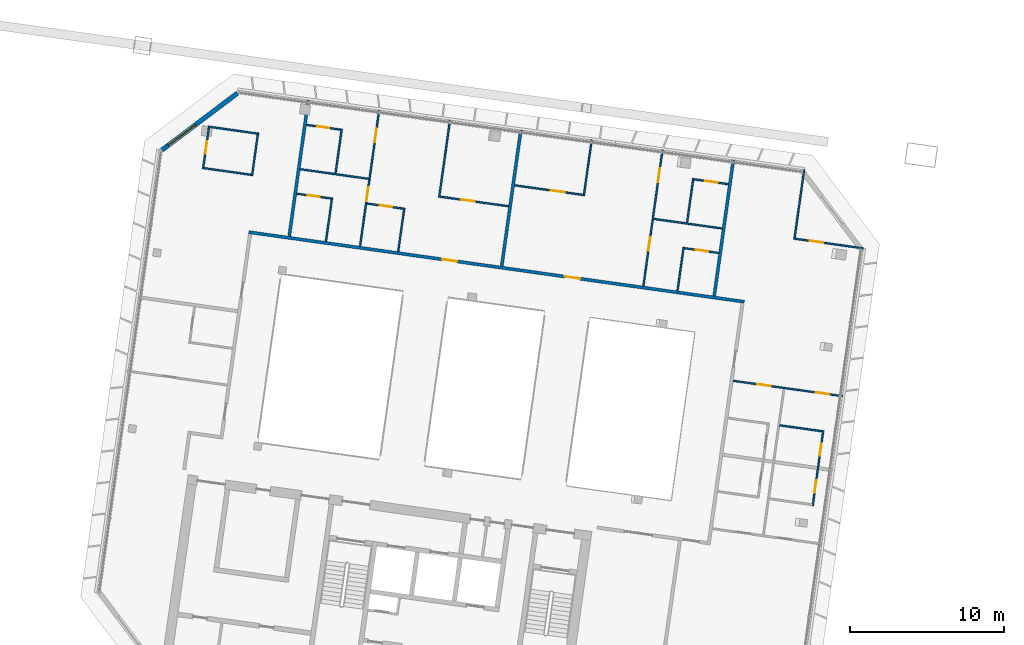
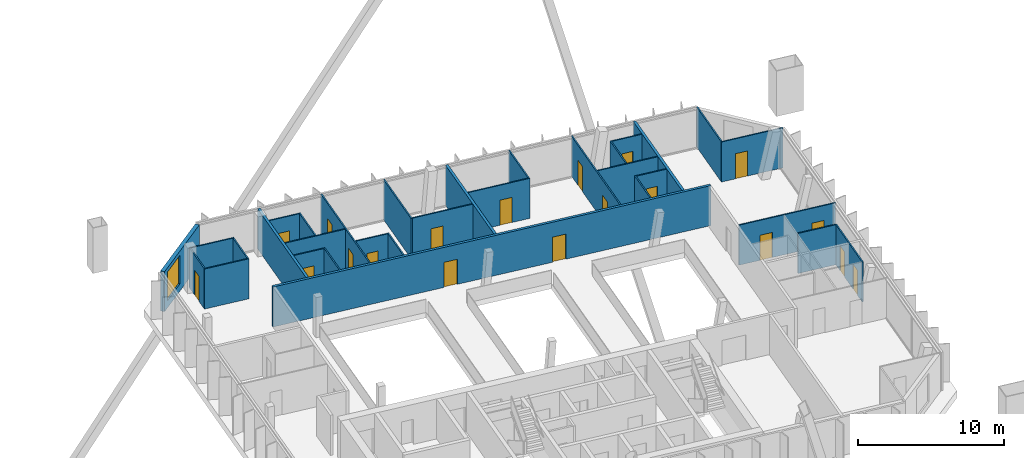
# One storey, part 21 of 28: 32 walls, 19 doors, 1 window, 20 openings.
"""IFC4 building model written with IfcOpenShell, lengths in metres."""

from ifc_helpers import new_model, si_unit, direction, frame, frame_2d, origin, place, context, subcontext, project, spatial, rectangle, extrude, material, layer, layer_set, type_object, element, fill, save


model = new_model("IFC4")

# Units and contexts
model_context = context("Model", 3, precision=1e-05, world=origin(), true_north=direction((0.0, 1.0)))
body_context = subcontext(model_context, "Body", "Model", "MODEL_VIEW")
ifc_project = project(units=[si_unit("LENGTHUNIT", "METRE"), si_unit("AREAUNIT", "SQUARE_METRE"), si_unit("VOLUMEUNIT", "CUBIC_METRE"), si_unit("PLANEANGLEUNIT", "RADIAN"), si_unit("MASSUNIT", "GRAM", prefix="KILO")], contexts=[model_context])

# Site, building, storey
site_placement = place(None, origin())
site = spatial("IfcSite", under=ifc_project, at=site_placement, CompositionType="ELEMENT")
building_placement = place(site_placement, origin())
building = spatial("IfcBuilding", under=site, at=building_placement, Name="Mirante Cascada Hotel Towers", CompositionType="ELEMENT")
storey_placement = place(building_placement, frame((0.0, 0.0, 243.2)))
storey = spatial("IfcBuildingStorey", under=building, at=storey_placement, Name="L58", CompositionType="ELEMENT", Elevation=243.2)

# Wall, openings, doors
ifc_material_1 = material(Name="Fire-rated plasterboard on metal studs")
ifc_layer_1 = layer(ifc_material_1, 0.2)
ifc_layer_set_1 = layer_set([ifc_layer_1], Name="Compartment wall 200 EI 120")
wall_type_1 = type_object("IfcWallType", Name="Compartment wall 200 EI 120", PredefinedType="PARTITIONING", material=ifc_layer_set_1)
wall_1_placement = place(storey_placement, frame((-57.8212, 12.0083, 0.0), z_axis=(0.0, 0.0, 1.0), x_axis=(0.9902681, -0.1391728, 0.0)))
wall_1 = element("IfcWall", 1, at=wall_1_placement, inside=storey, type_object=wall_type_1, Name="Wall 1-L58-14", PredefinedType="PARTITIONING", context=body_context, shape_type="SweptSolid", body=[
    extrude(rectangle(XDim=32.4, YDim=0.2, at=frame_2d((16.2, 0.0))), origin(), (0.0, 0.0, 1.0), 3.35),
])
opening_1_placement = place(wall_1_placement, frame((20.6562, 0.0, 0.0)))
opening_1 = element("IfcOpeningElement", 2, at=opening_1_placement, cuts=wall_1, Name="Opening D1-L58-09", PredefinedType="OPENING", context=body_context, shape_type="SweptSolid", body=[
    extrude(rectangle(XDim=1.0, YDim=2.1, at=frame_2d((0.5, 1.05))), frame((0.0, 0.1, 0.0), z_axis=(0.0, -1.0, 0.0), x_axis=(1.0, 0.0, 0.0)), (0.0, 0.0, 1.0), 0.2),
])
opening_2_placement = place(wall_1_placement, frame((12.64, 0.0, 0.0)))
opening_2 = element("IfcOpeningElement", 3, at=opening_2_placement, cuts=wall_1, Name="Opening D1-L58-10", PredefinedType="OPENING", context=body_context, shape_type="SweptSolid", body=[
    extrude(rectangle(XDim=1.0, YDim=2.1, at=frame_2d((0.5, 1.05))), frame((0.0, 0.1, 0.0), z_axis=(0.0, -1.0, 0.0), x_axis=(1.0, 0.0, 0.0)), (0.0, 0.0, 1.0), 0.2),
])
ifc_material_2 = material(Name="Fire-rated timber door leaf", Category="wood")
door_type_1 = type_object("IfcDoorType", Name="Entrance door DG1 1000x2100 EI 60", OperationType="SINGLE_SWING_LEFT", PredefinedType="DOOR", material=ifc_material_2)
door_1_placement = place(opening_1_placement, origin())
door_1 = element("IfcDoor", 4, at=door_1_placement, inside=storey, type_object=door_type_1, Name="Door D1-L58-09", OperationType="SINGLE_SWING_LEFT", OverallHeight=2.1, OverallWidth=1.0, PredefinedType="DOOR", context=body_context, shape_type="SweptSolid", body=[
    extrude(rectangle(XDim=1.0, YDim=2.1, at=frame_2d((0.5, 1.05))), frame((0.0, 0.025, 0.0), z_axis=(0.0, -1.0, 0.0), x_axis=(1.0, 0.0, 0.0)), (0.0, 0.0, 1.0), 0.05),
])
fill(opening_1, door_1)
door_2_placement = place(opening_2_placement, origin())
door_2 = element("IfcDoor", 5, at=door_2_placement, inside=storey, type_object=door_type_1, Name="Door D1-L58-10", OperationType="SINGLE_SWING_LEFT", OverallHeight=2.1, OverallWidth=1.0, PredefinedType="DOOR", context=body_context, shape_type="SweptSolid", body=[
    extrude(rectangle(XDim=1.0, YDim=2.1, at=frame_2d((0.5, 1.05))), frame((0.0, 0.025, 0.0), z_axis=(0.0, -1.0, 0.0), x_axis=(1.0, 0.0, 0.0)), (0.0, 0.0, 1.0), 0.05),
])
fill(opening_2, door_2)

# Walls
for number, where, z_axis, x_axis, name in (
    (6, (-26.4459, 16.6872, 0.0), (0.0, 0.0, 1.0), (-0.1391684, -0.9902687, 0.0), "Wall 1-L58-34"),
    (7, (-41.4431, 9.8075, 0.0), (0.0, 0.0, 1.0), (0.1391794, 0.9902672, 0.0), "Wall 1-L58-39"),
    (8, (-55.2016, 11.7411, 0.0), (0.0, 0.0, 1.0), (0.1391794, 0.9902672, 0.0), "Wall 1-L58-45"),
):
    element("IfcWall", number, at=place(storey_placement, frame(where, z_axis=z_axis, x_axis=x_axis)), inside=storey, type_object=wall_type_1, Name=name, PredefinedType="PARTITIONING", context=body_context, shape_type="SweptSolid", body=[
        extrude(rectangle(XDim=8.9, YDim=0.2, at=frame_2d((4.45, 0.0))), origin(), (0.0, 0.0, 1.0), 3.35),
    ])
ifc_material_3 = material(Name="Plasterboard on metal studs")
ifc_layer_2 = layer(ifc_material_3, 0.1)
ifc_layer_set_2 = layer_set([ifc_layer_2], Name="Partition 100")
wall_type_2 = type_object("IfcWallType", Name="Partition 100", PredefinedType="PARTITIONING", material=ifc_layer_set_2)
wall_2_placement = place(storey_placement, frame((-20.6793, -0.8864, 0.0), z_axis=(0.0, 0.0, 1.0), x_axis=(-0.9902677, 0.139176, 0.0)))
element("IfcWall", 9, at=wall_2_placement, inside=storey, type_object=wall_type_2, Name="Wall 1-L58-09", PredefinedType="PARTITIONING", context=body_context, shape_type="SweptSolid", body=[
    extrude(rectangle(XDim=2.8001, YDim=0.1, at=frame_2d((1.4, 0.0))), origin(), (0.0, 0.0, 1.0), 3.35),
])

# Wall, openings, doors
wall_3_placement = place(storey_placement, frame((-26.4556, 2.3827, 0.0), z_axis=(0.0, 0.0, 1.0), x_axis=(0.9902683, -0.1391713, 0.0)))
wall_3 = element("IfcWall", 10, at=wall_3_placement, inside=storey, type_object=wall_type_2, Name="Wall 1-L58-12", PredefinedType="PARTITIONING", context=body_context, shape_type="SweptSolid", body=[
    extrude(rectangle(XDim=7.1502, YDim=0.1, at=frame_2d((3.5751, 0.0))), origin(), (0.0, 0.0, 1.0), 3.35),
])
opening_3_placement = place(wall_3_placement, frame((5.3875, 0.0, 0.0)))
opening_3 = element("IfcOpeningElement", 11, at=opening_3_placement, cuts=wall_3, Name="Opening D1-L58-07", PredefinedType="OPENING", context=body_context, shape_type="SweptSolid", body=[
    extrude(rectangle(XDim=0.9, YDim=2.1, at=frame_2d((0.45, 1.05))), frame((0.0, 0.05, 0.0), z_axis=(0.0, -1.0, 0.0), x_axis=(1.0, 0.0, 0.0)), (0.0, 0.0, 1.0), 0.1),
])
opening_4_placement = place(wall_3_placement, frame((1.5625, 0.0, 0.0)))
opening_4 = element("IfcOpeningElement", 12, at=opening_4_placement, cuts=wall_3, Name="Opening D1-L58-08", PredefinedType="OPENING", context=body_context, shape_type="SweptSolid", body=[
    extrude(rectangle(XDim=0.9, YDim=2.1, at=frame_2d((0.45, 1.05))), frame((0.0, 0.05, 0.0), z_axis=(0.0, -1.0, 0.0), x_axis=(1.0, 0.0, 0.0)), (0.0, 0.0, 1.0), 0.1),
])
ifc_material_4 = material(Name="Timber door leaf", Category="wood")
door_type_2 = type_object("IfcDoorType", Name="Room door DG3 900x2100", OperationType="SINGLE_SWING_LEFT", PredefinedType="DOOR", material=ifc_material_4)
door_3_placement = place(opening_3_placement, origin())
door_3 = element("IfcDoor", 13, at=door_3_placement, inside=storey, type_object=door_type_2, Name="Door D1-L58-07", OperationType="SINGLE_SWING_LEFT", OverallHeight=2.1, OverallWidth=0.9, PredefinedType="DOOR", context=body_context, shape_type="SweptSolid", body=[
    extrude(rectangle(XDim=0.9, YDim=2.1, at=frame_2d((0.45, 1.05))), frame((0.0, 0.025, 0.0), z_axis=(0.0, -1.0, 0.0), x_axis=(1.0, 0.0, 0.0)), (0.0, 0.0, 1.0), 0.05),
])
fill(opening_3, door_3)
door_4_placement = place(opening_4_placement, origin())
door_4 = element("IfcDoor", 14, at=door_4_placement, inside=storey, type_object=door_type_2, Name="Door D1-L58-08", OperationType="SINGLE_SWING_LEFT", OverallHeight=2.1, OverallWidth=0.9, PredefinedType="DOOR", context=body_context, shape_type="SweptSolid", body=[
    extrude(rectangle(XDim=0.9, YDim=2.1, at=frame_2d((0.45, 1.05))), frame((0.0, 0.025, 0.0), z_axis=(0.0, -1.0, 0.0), x_axis=(1.0, 0.0, 0.0)), (0.0, 0.0, 1.0), 0.05),
])
fill(opening_4, door_4)

# Wall, opening, door
wall_4_placement = place(storey_placement, frame((-27.3938, 10.6605, 0.0), z_axis=(0.0, 0.0, 1.0), x_axis=(-0.9902705, 0.1391561, 0.0)))
wall_4 = element("IfcWall", 15, at=wall_4_placement, inside=storey, type_object=wall_type_2, Name="Wall 1-L58-15", PredefinedType="PARTITIONING", context=body_context, shape_type="SweptSolid", body=[
    extrude(rectangle(XDim=2.25, YDim=0.1, at=frame_2d((1.125, 0.0))), origin(), (0.0, 0.0, 1.0), 3.35),
])
opening_5_placement = place(wall_4_placement, frame((0.7, 0.0, 0.0)))
opening_5 = element("IfcOpeningElement", 16, at=opening_5_placement, cuts=wall_4, Name="Opening D1-L58-11", PredefinedType="OPENING", context=body_context, shape_type="SweptSolid", body=[
    extrude(rectangle(XDim=0.8, YDim=2.1, at=frame_2d((0.4, 1.05))), frame((0.0, 0.05, 0.0), z_axis=(0.0, -1.0, 0.0), x_axis=(1.0, 0.0, 0.0)), (0.0, 0.0, 1.0), 0.1),
])
ifc_material_5 = material(Name="Timber door leaf", Category="wood")
door_type_3 = type_object("IfcDoorType", Name="Bathroom door DG4 800x2100", OperationType="SINGLE_SWING_LEFT", PredefinedType="DOOR", material=ifc_material_5)
door_5_placement = place(opening_5_placement, origin())
door_5 = element("IfcDoor", 17, at=door_5_placement, inside=storey, type_object=door_type_3, Name="Door D1-L58-11", OperationType="SINGLE_SWING_LEFT", OverallHeight=2.1, OverallWidth=0.8, PredefinedType="DOOR", context=body_context, shape_type="SweptSolid", body=[
    extrude(rectangle(XDim=0.8, YDim=2.1, at=frame_2d((0.4, 1.05))), frame((0.0, 0.025, 0.0), z_axis=(0.0, -1.0, 0.0), x_axis=(1.0, 0.0, 0.0)), (0.0, 0.0, 1.0), 0.05),
])
fill(opening_5, door_5)

wall_5_placement = place(storey_placement, frame((-50.1762, 13.8624, 0.0), z_axis=(0.0, 0.0, 1.0), x_axis=(0.9902671, -0.1391799, 0.0)))
wall_5 = element("IfcWall", 18, at=wall_5_placement, inside=storey, type_object=wall_type_2, Name="Wall 1-L58-16", PredefinedType="PARTITIONING", context=body_context, shape_type="SweptSolid", body=[
    extrude(rectangle(XDim=2.3926, YDim=0.1, at=frame_2d((1.1963, 0.0))), origin(), (0.0, 0.0, 1.0), 3.35),
])
opening_6_placement = place(wall_5_placement, frame((0.8426, 0.0, 0.0)))
opening_6 = element("IfcOpeningElement", 19, at=opening_6_placement, cuts=wall_5, Name="Opening D1-L58-12", PredefinedType="OPENING", context=body_context, shape_type="SweptSolid", body=[
    extrude(rectangle(XDim=0.8, YDim=2.1, at=frame_2d((0.4, 1.05))), frame((0.0, 0.05, 0.0), z_axis=(0.0, -1.0, 0.0), x_axis=(1.0, 0.0, 0.0)), (0.0, 0.0, 1.0), 0.1),
])
door_6_placement = place(opening_6_placement, origin())
door_6 = element("IfcDoor", 20, at=door_6_placement, inside=storey, type_object=door_type_3, Name="Door D1-L58-12", OperationType="SINGLE_SWING_LEFT", OverallHeight=2.1, OverallWidth=0.8, PredefinedType="DOOR", context=body_context, shape_type="SweptSolid", body=[
    extrude(rectangle(XDim=0.8, YDim=2.1, at=frame_2d((0.4, 1.05))), frame((0.0, 0.025, 0.0), z_axis=(0.0, -1.0, 0.0), x_axis=(1.0, 0.0, 0.0)), (0.0, 0.0, 1.0), 0.05),
])
fill(opening_6, door_6)

wall_6_placement = place(storey_placement, frame((-52.4848, 14.1868, 0.0), z_axis=(0.0, 0.0, 1.0), x_axis=(-0.9902705, 0.1391561, 0.0)))
wall_6 = element("IfcWall", 21, at=wall_6_placement, inside=storey, type_object=wall_type_2, Name="Wall 1-L58-17", PredefinedType="PARTITIONING", context=body_context, shape_type="SweptSolid", body=[
    extrude(rectangle(XDim=2.25, YDim=0.1, at=frame_2d((1.125, 0.0))), origin(), (0.0, 0.0, 1.0), 3.35),
])
opening_7_placement = place(wall_6_placement, frame((0.75, 0.0, 0.0)))
opening_7 = element("IfcOpeningElement", 22, at=opening_7_placement, cuts=wall_6, Name="Opening D1-L58-13", PredefinedType="OPENING", context=body_context, shape_type="SweptSolid", body=[
    extrude(rectangle(XDim=0.8, YDim=2.1, at=frame_2d((0.4, 1.05))), frame((0.0, 0.05, 0.0), z_axis=(0.0, -1.0, 0.0), x_axis=(1.0, 0.0, 0.0)), (0.0, 0.0, 1.0), 0.1),
])
door_7_placement = place(opening_7_placement, origin())
door_7 = element("IfcDoor", 23, at=door_7_placement, inside=storey, type_object=door_type_3, Name="Door D1-L58-13", OperationType="SINGLE_SWING_LEFT", OverallHeight=2.1, OverallWidth=0.8, PredefinedType="DOOR", context=body_context, shape_type="SweptSolid", body=[
    extrude(rectangle(XDim=0.8, YDim=2.1, at=frame_2d((0.4, 1.05))), frame((0.0, 0.025, 0.0), z_axis=(0.0, -1.0, 0.0), x_axis=(1.0, 0.0, 0.0)), (0.0, 0.0, 1.0), 0.05),
])
fill(opening_7, door_7)

# Wall
wall_7_placement = place(storey_placement, frame((-60.8217, 16.1663, 0.0), z_axis=(0.0, 0.0, 1.0), x_axis=(0.9902711, -0.1391513, 0.0)))
element("IfcWall", 24, at=wall_7_placement, inside=storey, type_object=wall_type_2, Name="Wall 1-L58-18", PredefinedType="PARTITIONING", context=body_context, shape_type="SweptSolid", body=[
    extrude(rectangle(XDim=3.3, YDim=0.1, at=frame_2d((1.65, 0.0))), origin(), (0.0, 0.0, 1.0), 3.35),
])

# Wall, opening, door
wall_8_placement = place(storey_placement, frame((-40.9993, 13.6834, 0.0), z_axis=(0.0, 0.0, 1.0), x_axis=(-0.990267, 0.139181, 0.0)))
wall_8 = element("IfcWall", 25, at=wall_8_placement, inside=storey, type_object=wall_type_2, Name="Wall 1-L58-19", PredefinedType="PARTITIONING", context=body_context, shape_type="SweptSolid", body=[
    extrude(rectangle(XDim=4.4812, YDim=0.1, at=frame_2d((2.2406, 0.0))), origin(), (0.0, 0.0, 1.0), 3.35),
])
opening_8_placement = place(wall_8_placement, frame((2.2, 0.0, 0.0)))
opening_8 = element("IfcOpeningElement", 26, at=opening_8_placement, cuts=wall_8, Name="Opening D1-L58-14", PredefinedType="OPENING", context=body_context, shape_type="SweptSolid", body=[
    extrude(rectangle(XDim=0.9, YDim=2.1, at=frame_2d((0.45, 1.05))), frame((0.0, 0.05, 0.0), z_axis=(0.0, -1.0, 0.0), x_axis=(1.0, 0.0, 0.0)), (0.0, 0.0, 1.0), 0.1),
])
door_8_placement = place(opening_8_placement, frame((0.9, 0.0, 0.0), z_axis=(0.0, 0.0, 1.0), x_axis=(-1.0, 0.0, 0.0)))
door_8 = element("IfcDoor", 27, at=door_8_placement, inside=storey, type_object=door_type_2, Name="Door D1-L58-14", OperationType="SINGLE_SWING_RIGHT", OverallHeight=2.1, OverallWidth=0.9, PredefinedType="DOOR", context=body_context, shape_type="SweptSolid", body=[
    extrude(rectangle(XDim=0.9, YDim=2.1, at=frame_2d((0.45, 1.05))), frame((0.0, 0.025, 0.0), z_axis=(0.0, -1.0, 0.0), x_axis=(1.0, 0.0, 0.0)), (0.0, 0.0, 1.0), 0.05),
])
fill(opening_8, door_8)

wall_9_placement = place(storey_placement, frame((-22.5354, 11.5934, 0.0), z_axis=(0.0, 0.0, 1.0), x_axis=(0.9902691, -0.1391656, 0.0)))
wall_9 = element("IfcWall", 28, at=wall_9_placement, inside=storey, type_object=wall_type_2, Name="Wall 1-L58-20", PredefinedType="PARTITIONING", context=body_context, shape_type="SweptSolid", body=[
    extrude(rectangle(XDim=4.55, YDim=0.1, at=frame_2d((2.275, 0.0))), origin(), (0.0, 0.0, 1.0), 3.35),
])
opening_9_placement = place(wall_9_placement, frame((1.0399, 0.0, 0.0)))
opening_9 = element("IfcOpeningElement", 29, at=opening_9_placement, cuts=wall_9, Name="Opening D1-L58-15", PredefinedType="OPENING", context=body_context, shape_type="SweptSolid", body=[
    extrude(rectangle(XDim=0.9, YDim=2.1, at=frame_2d((0.45, 1.05))), frame((0.0, 0.05, 0.0), z_axis=(0.0, -1.0, 0.0), x_axis=(1.0, 0.0, 0.0)), (0.0, 0.0, 1.0), 0.1),
])
door_9_placement = place(opening_9_placement, frame((0.9, 0.0, 0.0), z_axis=(0.0, 0.0, 1.0), x_axis=(-1.0, 0.0, 0.0)))
door_9 = element("IfcDoor", 30, at=door_9_placement, inside=storey, type_object=door_type_2, Name="Door D1-L58-15", OperationType="SINGLE_SWING_RIGHT", OverallHeight=2.1, OverallWidth=0.9, PredefinedType="DOOR", context=body_context, shape_type="SweptSolid", body=[
    extrude(rectangle(XDim=0.9, YDim=2.1, at=frame_2d((0.45, 1.05))), frame((0.0, 0.025, 0.0), z_axis=(0.0, -1.0, 0.0), x_axis=(1.0, 0.0, 0.0)), (0.0, 0.0, 1.0), 0.05),
])
fill(opening_9, door_9)

# Walls
for number, where, z_axis, x_axis, name in (
    (31, (-27.1712, 12.2449, 0.0), (0.0, 0.0, 1.0), (-0.990267, 0.139181, 0.0), "Wall 1-L58-21"),
    (32, (-54.4902, 16.0844, 0.0), (0.0, 0.0, 1.0), (0.990267, -0.139181, 0.0), "Wall 1-L58-22"),
):
    element("IfcWall", number, at=place(storey_placement, frame(where, z_axis=z_axis, x_axis=x_axis)), inside=storey, type_object=wall_type_2, Name=name, PredefinedType="PARTITIONING", context=body_context, shape_type="SweptSolid", body=[
        extrude(rectangle(XDim=4.4812, YDim=0.1, at=frame_2d((2.2406, 0.0))), origin(), (0.0, 0.0, 1.0), 3.35),
    ])

# Wall, opening, door
wall_10_placement = place(storey_placement, frame((-36.0697, 14.4044, 0.0), z_axis=(0.0, 0.0, 1.0), x_axis=(-0.9902678, 0.1391749, 0.0)))
wall_10 = element("IfcWall", 33, at=wall_10_placement, inside=storey, type_object=wall_type_2, Name="Wall 1-L58-23", PredefinedType="PARTITIONING", context=body_context, shape_type="SweptSolid", body=[
    extrude(rectangle(XDim=4.5813, YDim=0.1, at=frame_2d((2.2906, 0.0))), origin(), (0.0, 0.0, 1.0), 3.35),
])
opening_10_placement = place(wall_10_placement, frame((1.3131, 0.0, 0.0)))
opening_10 = element("IfcOpeningElement", 34, at=opening_10_placement, cuts=wall_10, Name="Opening D1-L58-16", PredefinedType="OPENING", context=body_context, shape_type="SweptSolid", body=[
    extrude(rectangle(XDim=0.9, YDim=2.1, at=frame_2d((0.45, 1.05))), frame((0.0, 0.05, 0.0), z_axis=(0.0, -1.0, 0.0), x_axis=(1.0, 0.0, 0.0)), (0.0, 0.0, 1.0), 0.1),
])
door_10_placement = place(opening_10_placement, origin())
door_10 = element("IfcDoor", 35, at=door_10_placement, inside=storey, type_object=door_type_2, Name="Door D1-L58-16", OperationType="SINGLE_SWING_LEFT", OverallHeight=2.1, OverallWidth=0.9, PredefinedType="DOOR", context=body_context, shape_type="SweptSolid", body=[
    extrude(rectangle(XDim=0.9, YDim=2.1, at=frame_2d((0.45, 1.05))), frame((0.0, 0.025, 0.0), z_axis=(0.0, -1.0, 0.0), x_axis=(1.0, 0.0, 0.0)), (0.0, 0.0, 1.0), 0.05),
])
fill(opening_10, door_10)

# Wall
wall_11_placement = place(storey_placement, frame((-60.4459, 18.8401, 0.0), z_axis=(0.0, 0.0, 1.0), x_axis=(0.990267, -0.139181, 0.0)))
element("IfcWall", 36, at=wall_11_placement, inside=storey, type_object=wall_type_2, Name="Wall 1-L58-24", PredefinedType="PARTITIONING", context=body_context, shape_type="SweptSolid", body=[
    extrude(rectangle(XDim=3.3, YDim=0.1, at=frame_2d((1.65, 0.0))), origin(), (0.0, 0.0, 1.0), 3.35),
])

# Wall, opening, door
wall_12_placement = place(storey_placement, frame((-26.7676, 15.1167, 0.0), z_axis=(0.0, 0.0, 1.0), x_axis=(-0.9902705, 0.1391561, 0.0)))
wall_12 = element("IfcWall", 37, at=wall_12_placement, inside=storey, type_object=wall_type_2, Name="Wall 1-L58-25", PredefinedType="PARTITIONING", context=body_context, shape_type="SweptSolid", body=[
    extrude(rectangle(XDim=2.25, YDim=0.1, at=frame_2d((1.125, 0.0))), origin(), (0.0, 0.0, 1.0), 3.35),
])
opening_11_placement = place(wall_12_placement, frame((0.7, 0.0, 0.0)))
opening_11 = element("IfcOpeningElement", 38, at=opening_11_placement, cuts=wall_12, Name="Opening D1-L58-17", PredefinedType="OPENING", context=body_context, shape_type="SweptSolid", body=[
    extrude(rectangle(XDim=0.8, YDim=2.1, at=frame_2d((0.4, 1.05))), frame((0.0, 0.05, 0.0), z_axis=(0.0, -1.0, 0.0), x_axis=(1.0, 0.0, 0.0)), (0.0, 0.0, 1.0), 0.1),
])
door_11_placement = place(opening_11_placement, origin())
door_11 = element("IfcDoor", 39, at=door_11_placement, inside=storey, type_object=door_type_3, Name="Door D1-L58-17", OperationType="SINGLE_SWING_LEFT", OverallHeight=2.1, OverallWidth=0.8, PredefinedType="DOOR", context=body_context, shape_type="SweptSolid", body=[
    extrude(rectangle(XDim=0.8, YDim=2.1, at=frame_2d((0.4, 1.05))), frame((0.0, 0.025, 0.0), z_axis=(0.0, -1.0, 0.0), x_axis=(1.0, 0.0, 0.0)), (0.0, 0.0, 1.0), 0.05),
])
fill(opening_11, door_11)

wall_13_placement = place(storey_placement, frame((-54.0866, 18.9561, 0.0), z_axis=(0.0, 0.0, 1.0), x_axis=(0.9902705, -0.1391561, 0.0)))
wall_13 = element("IfcWall", 40, at=wall_13_placement, inside=storey, type_object=wall_type_2, Name="Wall 1-L58-26", PredefinedType="PARTITIONING", context=body_context, shape_type="SweptSolid", body=[
    extrude(rectangle(XDim=2.25, YDim=0.1, at=frame_2d((1.125, 0.0))), origin(), (0.0, 0.0, 1.0), 3.35),
])
opening_12_placement = place(wall_13_placement, frame((0.7, 0.0, 0.0)))
opening_12 = element("IfcOpeningElement", 41, at=opening_12_placement, cuts=wall_13, Name="Opening D1-L58-18", PredefinedType="OPENING", context=body_context, shape_type="SweptSolid", body=[
    extrude(rectangle(XDim=0.8, YDim=2.1, at=frame_2d((0.4, 1.05))), frame((0.0, 0.05, 0.0), z_axis=(0.0, -1.0, 0.0), x_axis=(1.0, 0.0, 0.0)), (0.0, 0.0, 1.0), 0.1),
])
door_12_placement = place(opening_12_placement, frame((0.8, 0.0, 0.0), z_axis=(0.0, 0.0, 1.0), x_axis=(-1.0, 0.0, 0.0)))
door_12 = element("IfcDoor", 42, at=door_12_placement, inside=storey, type_object=door_type_3, Name="Door D1-L58-18", OperationType="SINGLE_SWING_RIGHT", OverallHeight=2.1, OverallWidth=0.8, PredefinedType="DOOR", context=body_context, shape_type="SweptSolid", body=[
    extrude(rectangle(XDim=0.8, YDim=2.1, at=frame_2d((0.4, 1.05))), frame((0.0, 0.025, 0.0), z_axis=(0.0, -1.0, 0.0), x_axis=(1.0, 0.0, 0.0)), (0.0, 0.0, 1.0), 0.05),
])
fill(opening_12, door_12)

# Wall, openings, doors
wall_14_placement = place(storey_placement, frame((-21.3048, -5.6961, 0.0), z_axis=(0.0, 0.0, 1.0), x_axis=(0.1391838, 0.9902666, 0.0)))
wall_14 = element("IfcWall", 43, at=wall_14_placement, inside=storey, type_object=wall_type_2, Name="Wall 1-L58-27", PredefinedType="PARTITIONING", context=body_context, shape_type="SweptSolid", body=[
    extrude(rectangle(XDim=4.9, YDim=0.1, at=frame_2d((2.45, 0.0))), origin(), (0.0, 0.0, 1.0), 3.35),
])
opening_13_placement = place(wall_14_placement, frame((0.85, 0.0, 0.0)))
opening_13 = element("IfcOpeningElement", 44, at=opening_13_placement, cuts=wall_14, Name="Opening D1-L58-19", PredefinedType="OPENING", context=body_context, shape_type="SweptSolid", body=[
    extrude(rectangle(XDim=0.8, YDim=2.1, at=frame_2d((0.4, 1.05))), frame((0.0, 0.05, 0.0), z_axis=(0.0, -1.0, 0.0), x_axis=(1.0, 0.0, 0.0)), (0.0, 0.0, 1.0), 0.1),
])
opening_14_placement = place(wall_14_placement, frame((3.25, 0.0, 0.0)))
opening_14 = element("IfcOpeningElement", 45, at=opening_14_placement, cuts=wall_14, Name="Opening D1-L58-20", PredefinedType="OPENING", context=body_context, shape_type="SweptSolid", body=[
    extrude(rectangle(XDim=0.8, YDim=2.1, at=frame_2d((0.4, 1.05))), frame((0.0, 0.05, 0.0), z_axis=(0.0, -1.0, 0.0), x_axis=(1.0, 0.0, 0.0)), (0.0, 0.0, 1.0), 0.1),
])
door_13_placement = place(opening_13_placement, origin())
door_13 = element("IfcDoor", 46, at=door_13_placement, inside=storey, type_object=door_type_3, Name="Door D1-L58-19", OperationType="SINGLE_SWING_LEFT", OverallHeight=2.1, OverallWidth=0.8, PredefinedType="DOOR", context=body_context, shape_type="SweptSolid", body=[
    extrude(rectangle(XDim=0.8, YDim=2.1, at=frame_2d((0.4, 1.05))), frame((0.0, 0.025, 0.0), z_axis=(0.0, -1.0, 0.0), x_axis=(1.0, 0.0, 0.0)), (0.0, 0.0, 1.0), 0.05),
])
fill(opening_13, door_13)
door_14_placement = place(opening_14_placement, origin())
door_14 = element("IfcDoor", 47, at=door_14_placement, inside=storey, type_object=door_type_3, Name="Door D1-L58-20", OperationType="SINGLE_SWING_LEFT", OverallHeight=2.1, OverallWidth=0.8, PredefinedType="DOOR", context=body_context, shape_type="SweptSolid", body=[
    extrude(rectangle(XDim=0.8, YDim=2.1, at=frame_2d((0.4, 1.05))), frame((0.0, 0.025, 0.0), z_axis=(0.0, -1.0, 0.0), x_axis=(1.0, 0.0, 0.0)), (0.0, 0.0, 1.0), 0.05),
])
fill(opening_14, door_14)

# Walls
wall_15_placement = place(storey_placement, frame((-22.4789, 11.636, 0.0), z_axis=(0.0, 0.0, 1.0), x_axis=(0.1391684, 0.9902687, 0.0)))
element("IfcWall", 48, at=wall_15_placement, inside=storey, type_object=wall_type_2, Name="Wall 1-L58-31", PredefinedType="PARTITIONING", context=body_context, shape_type="SweptSolid", body=[
    extrude(rectangle(XDim=4.45, YDim=0.1, at=frame_2d((2.225, 0.0))), origin(), (0.0, 0.0, 1.0), 3.35),
])
wall_16_placement = place(storey_placement, frame((-30.0611, 8.2079, 0.0), z_axis=(0.0, 0.0, 1.0), x_axis=(0.1391613, 0.9902697, 0.0)))
element("IfcWall", 49, at=wall_16_placement, inside=storey, type_object=wall_type_2, Name="Wall 1-L58-35", PredefinedType="PARTITIONING", context=body_context, shape_type="SweptSolid", body=[
    extrude(rectangle(XDim=2.8499, YDim=0.1, at=frame_2d((1.425, 0.0))), origin(), (0.0, 0.0, 1.0), 3.35),
])
wall_17_placement = place(storey_placement, frame((-29.0382, 15.4863, 0.0), z_axis=(0.0, 0.0, 1.0), x_axis=(-0.1391714, -0.9902683, 0.0)))
element("IfcWall", 50, at=wall_17_placement, inside=storey, type_object=wall_type_2, Name="Wall 1-L58-36", PredefinedType="PARTITIONING", context=body_context, shape_type="SweptSolid", body=[
    extrude(rectangle(XDim=2.9, YDim=0.1, at=frame_2d((1.45, 0.0))), origin(), (0.0, 0.0, 1.0), 3.35),
])

# Wall, openings, doors
wall_18_placement = place(storey_placement, frame((-32.2707, 8.5184, 0.0), z_axis=(0.0, 0.0, 1.0), x_axis=(0.1391684, 0.9902687, 0.0)))
wall_18 = element("IfcWall", 51, at=wall_18_placement, inside=storey, type_object=wall_type_2, Name="Wall 1-L58-37", PredefinedType="PARTITIONING", context=body_context, shape_type="SweptSolid", body=[
    extrude(rectangle(XDim=8.9, YDim=0.1, at=frame_2d((4.45, 0.0))), origin(), (0.0, 0.0, 1.0), 3.35),
])
opening_15_placement = place(wall_18_placement, frame((2.3, 0.0, 0.0)))
opening_15 = element("IfcOpeningElement", 52, at=opening_15_placement, cuts=wall_18, Name="Opening D1-L58-24", PredefinedType="OPENING", context=body_context, shape_type="SweptSolid", body=[
    extrude(rectangle(XDim=0.9, YDim=2.1, at=frame_2d((0.45, 1.05))), frame((0.0, 0.05, 0.0), z_axis=(0.0, -1.0, 0.0), x_axis=(1.0, 0.0, 0.0)), (0.0, 0.0, 1.0), 0.1),
])
opening_16_placement = place(wall_18_placement, frame((6.8, 0.0, 0.0)))
opening_16 = element("IfcOpeningElement", 53, at=opening_16_placement, cuts=wall_18, Name="Opening D1-L58-25", PredefinedType="OPENING", context=body_context, shape_type="SweptSolid", body=[
    extrude(rectangle(XDim=0.9, YDim=2.1, at=frame_2d((0.45, 1.05))), frame((0.0, 0.05, 0.0), z_axis=(0.0, -1.0, 0.0), x_axis=(1.0, 0.0, 0.0)), (0.0, 0.0, 1.0), 0.1),
])
door_15_placement = place(opening_15_placement, origin())
door_15 = element("IfcDoor", 54, at=door_15_placement, inside=storey, type_object=door_type_2, Name="Door D1-L58-24", OperationType="SINGLE_SWING_LEFT", OverallHeight=2.1, OverallWidth=0.9, PredefinedType="DOOR", context=body_context, shape_type="SweptSolid", body=[
    extrude(rectangle(XDim=0.9, YDim=2.1, at=frame_2d((0.45, 1.05))), frame((0.0, 0.025, 0.0), z_axis=(0.0, -1.0, 0.0), x_axis=(1.0, 0.0, 0.0)), (0.0, 0.0, 1.0), 0.05),
])
fill(opening_15, door_15)
door_16_placement = place(opening_16_placement, origin())
door_16 = element("IfcDoor", 55, at=door_16_placement, inside=storey, type_object=door_type_2, Name="Door D1-L58-25", OperationType="SINGLE_SWING_LEFT", OverallHeight=2.1, OverallWidth=0.9, PredefinedType="DOOR", context=body_context, shape_type="SweptSolid", body=[
    extrude(rectangle(XDim=0.9, YDim=2.1, at=frame_2d((0.45, 1.05))), frame((0.0, 0.025, 0.0), z_axis=(0.0, -1.0, 0.0), x_axis=(1.0, 0.0, 0.0)), (0.0, 0.0, 1.0), 0.05),
])
fill(opening_16, door_16)

# Walls
wall_19_placement = place(storey_placement, frame((-35.6182, 17.9763, 0.0), z_axis=(0.0, 0.0, 1.0), x_axis=(-0.1391849, -0.9902664, 0.0)))
element("IfcWall", 56, at=wall_19_placement, inside=storey, type_object=wall_type_2, Name="Wall 1-L58-38", PredefinedType="PARTITIONING", context=body_context, shape_type="SweptSolid", body=[
    extrude(rectangle(XDim=3.55, YDim=0.1, at=frame_2d((1.775, 0.0))), origin(), (0.0, 0.0, 1.0), 3.35),
])
wall_20_placement = place(storey_placement, frame((-44.7906, 19.2654, 0.0), z_axis=(0.0, 0.0, 1.0), x_axis=(-0.1391671, -0.9902689, 0.0)))
element("IfcWall", 57, at=wall_20_placement, inside=storey, type_object=wall_type_2, Name="Wall 1-L58-40", PredefinedType="PARTITIONING", context=body_context, shape_type="SweptSolid", body=[
    extrude(rectangle(XDim=5.05, YDim=0.1, at=frame_2d((2.525, 0.0))), origin(), (0.0, 0.0, 1.0), 3.35),
])
wall_21_placement = place(storey_placement, frame((-48.1471, 10.7497, 0.0), z_axis=(0.0, 0.0, 1.0), x_axis=(0.1391613, 0.9902697, 0.0)))
element("IfcWall", 58, at=wall_21_placement, inside=storey, type_object=wall_type_2, Name="Wall 1-L58-41", PredefinedType="PARTITIONING", context=body_context, shape_type="SweptSolid", body=[
    extrude(rectangle(XDim=2.8499, YDim=0.1, at=frame_2d((1.425, 0.0))), origin(), (0.0, 0.0, 1.0), 3.35),
])

# Wall, openings, doors
wall_22_placement = place(storey_placement, frame((-49.3768, 19.91, 0.0), z_axis=(0.0, 0.0, 1.0), x_axis=(-0.1391684, -0.9902687, 0.0)))
wall_22 = element("IfcWall", 59, at=wall_22_placement, inside=storey, type_object=wall_type_2, Name="Wall 1-L58-42", PredefinedType="PARTITIONING", context=body_context, shape_type="SweptSolid", body=[
    extrude(rectangle(XDim=8.9, YDim=0.1, at=frame_2d((4.45, 0.0))), origin(), (0.0, 0.0, 1.0), 3.35),
])
opening_17_placement = place(wall_22_placement, frame((5.05, 0.0, 0.0)))
opening_17 = element("IfcOpeningElement", 60, at=opening_17_placement, cuts=wall_22, Name="Opening D1-L58-26", PredefinedType="OPENING", context=body_context, shape_type="SweptSolid", body=[
    extrude(rectangle(XDim=0.9, YDim=2.1, at=frame_2d((0.45, 1.05))), frame((0.0, 0.05, 0.0), z_axis=(0.0, -1.0, 0.0), x_axis=(1.0, 0.0, 0.0)), (0.0, 0.0, 1.0), 0.1),
])
opening_18_placement = place(wall_22_placement, frame((1.2, 0.0, 0.0)))
opening_18 = element("IfcOpeningElement", 61, at=opening_18_placement, cuts=wall_22, Name="Opening D1-L58-27", PredefinedType="OPENING", context=body_context, shape_type="SweptSolid", body=[
    extrude(rectangle(XDim=0.9, YDim=2.1, at=frame_2d((0.45, 1.05))), frame((0.0, 0.05, 0.0), z_axis=(0.0, -1.0, 0.0), x_axis=(1.0, 0.0, 0.0)), (0.0, 0.0, 1.0), 0.1),
])
door_17_placement = place(opening_17_placement, origin())
door_17 = element("IfcDoor", 62, at=door_17_placement, inside=storey, type_object=door_type_2, Name="Door D1-L58-26", OperationType="SINGLE_SWING_LEFT", OverallHeight=2.1, OverallWidth=0.9, PredefinedType="DOOR", context=body_context, shape_type="SweptSolid", body=[
    extrude(rectangle(XDim=0.9, YDim=2.1, at=frame_2d((0.45, 1.05))), frame((0.0, 0.025, 0.0), z_axis=(0.0, -1.0, 0.0), x_axis=(1.0, 0.0, 0.0)), (0.0, 0.0, 1.0), 0.05),
])
fill(opening_17, door_17)
door_18_placement = place(opening_18_placement, origin())
door_18 = element("IfcDoor", 63, at=door_18_placement, inside=storey, type_object=door_type_2, Name="Door D1-L58-27", OperationType="SINGLE_SWING_LEFT", OverallHeight=2.1, OverallWidth=0.9, PredefinedType="DOOR", context=body_context, shape_type="SweptSolid", body=[
    extrude(rectangle(XDim=0.9, YDim=2.1, at=frame_2d((0.45, 1.05))), frame((0.0, 0.025, 0.0), z_axis=(0.0, -1.0, 0.0), x_axis=(1.0, 0.0, 0.0)), (0.0, 0.0, 1.0), 0.05),
])
fill(opening_18, door_18)

# Walls
wall_23_placement = place(storey_placement, frame((-52.8249, 11.4071, 0.0), z_axis=(0.0, 0.0, 1.0), x_axis=(0.1391564, 0.9902704, 0.0)))
element("IfcWall", 64, at=wall_23_placement, inside=storey, type_object=wall_type_2, Name="Wall 1-L58-43", PredefinedType="PARTITIONING", context=body_context, shape_type="SweptSolid", body=[
    extrude(rectangle(XDim=2.85, YDim=0.1, at=frame_2d((1.425, 0.0))), origin(), (0.0, 0.0, 1.0), 3.35),
])
wall_24_placement = place(storey_placement, frame((-51.802, 18.6856, 0.0), z_axis=(0.0, 0.0, 1.0), x_axis=(-0.1391714, -0.9902683, 0.0)))
element("IfcWall", 65, at=wall_24_placement, inside=storey, type_object=wall_type_2, Name="Wall 1-L58-44", PredefinedType="PARTITIONING", context=body_context, shape_type="SweptSolid", body=[
    extrude(rectangle(XDim=2.9, YDim=0.1, at=frame_2d((1.45, 0.0))), origin(), (0.0, 0.0, 1.0), 3.35),
])
wall_25_placement = place(storey_placement, frame((-57.5964, 15.7635, 0.0), z_axis=(0.0, 0.0, 1.0), x_axis=(0.1391918, 0.9902654, 0.0)))
element("IfcWall", 66, at=wall_25_placement, inside=storey, type_object=wall_type_2, Name="Wall 1-L58-47", PredefinedType="PARTITIONING", context=body_context, shape_type="SweptSolid", body=[
    extrude(rectangle(XDim=2.6, YDim=0.1, at=frame_2d((1.3, 0.0))), origin(), (0.0, 0.0, 1.0), 3.35),
])

# Wall, opening, door
wall_26_placement = place(storey_placement, frame((-60.4034, 18.7836, 0.0), z_axis=(0.0, 0.0, 1.0), x_axis=(-0.1391541, -0.9902707, 0.0)))
wall_26 = element("IfcWall", 67, at=wall_26_placement, inside=storey, type_object=wall_type_2, Name="Wall 1-L58-50", PredefinedType="PARTITIONING", context=body_context, shape_type="SweptSolid", body=[
    extrude(rectangle(XDim=2.6, YDim=0.1, at=frame_2d((1.3, 0.0))), origin(), (0.0, 0.0, 1.0), 3.35),
])
opening_19_placement = place(wall_26_placement, frame((0.9, 0.0, 0.0)))
opening_19 = element("IfcOpeningElement", 68, at=opening_19_placement, cuts=wall_26, Name="Opening D1-L58-31", PredefinedType="OPENING", context=body_context, shape_type="SweptSolid", body=[
    extrude(rectangle(XDim=0.8, YDim=2.1, at=frame_2d((0.4, 1.05))), frame((0.0, 0.05, 0.0), z_axis=(0.0, -1.0, 0.0), x_axis=(1.0, 0.0, 0.0)), (0.0, 0.0, 1.0), 0.1),
])
door_19_placement = place(opening_19_placement, origin())
door_19 = element("IfcDoor", 69, at=door_19_placement, inside=storey, type_object=door_type_3, Name="Door D1-L58-31", OperationType="SINGLE_SWING_LEFT", OverallHeight=2.1, OverallWidth=0.8, PredefinedType="DOOR", context=body_context, shape_type="SweptSolid", body=[
    extrude(rectangle(XDim=0.8, YDim=2.1, at=frame_2d((0.4, 1.05))), frame((0.0, 0.025, 0.0), z_axis=(0.0, -1.0, 0.0), x_axis=(1.0, 0.0, 0.0)), (0.0, 0.0, 1.0), 0.05),
])
fill(opening_19, door_19)

# Wall, opening, window
ifc_material_6 = material(Name="Precast concrete C40/50", Category="concrete")
ifc_layer_3 = layer(ifc_material_6, 0.3)
ifc_layer_set_3 = layer_set([ifc_layer_3], Name="Precast concrete C40/50 cladding wall 300")
wall_type_3 = type_object("IfcWallType", Name="Precast concrete C40/50 cladding wall 300", PredefinedType="STANDARD", material=ifc_layer_set_3)
wall_27_placement = place(storey_placement, frame((-63.4422, 17.324, 0.0), z_axis=(0.0, 0.0, 1.0), x_axis=(0.7986362, 0.6018141, 0.0)))
wall_27 = element("IfcWall", 70, at=wall_27_placement, inside=storey, type_object=wall_type_3, Name="Corner cladding wall T1 L58 outer front", PredefinedType="STANDARD", context=body_context, shape_type="SweptSolid", body=[
    extrude(rectangle(XDim=6.1157, YDim=0.3, at=frame_2d((3.0578, 0.0))), origin(), (0.0, 0.0, 1.0), 3.35),
])
opening_20_placement = place(wall_27_placement, frame((0.4975, 0.0, 0.6)))
opening_20 = element("IfcOpeningElement", 71, at=opening_20_placement, cuts=wall_27, Name="Opening W1-58-04", PredefinedType="OPENING", context=body_context, shape_type="SweptSolid", body=[
    extrude(rectangle(XDim=2.2, YDim=2.4, at=frame_2d((1.1, 1.2))), frame((0.0, 0.15, 0.0), z_axis=(0.0, -1.0, 0.0), x_axis=(1.0, 0.0, 0.0)), (0.0, 0.0, 1.0), 0.3),
])
ifc_material_7 = material(Name="Aluminium frame with clear double glazing", Category="aluminium")
window_type = type_object("IfcWindowType", Name="Corner suite window 2200x2400", PartitioningType="DOUBLE_PANEL_VERTICAL", PredefinedType="WINDOW", material=ifc_material_7)
window_placement = place(opening_20_placement, origin())
window = element("IfcWindow", 72, at=window_placement, inside=storey, type_object=window_type, Name="Window W1-58-04", OverallHeight=2.4, OverallWidth=2.2, PartitioningType="SINGLE_PANEL", PredefinedType="WINDOW", context=body_context, shape_type="SweptSolid", body=[
    extrude(rectangle(XDim=2.2, YDim=2.4, at=frame_2d((1.1, 1.2))), frame((0.0, 0.03, 0.0), z_axis=(0.0, -1.0, 0.0), x_axis=(1.0, 0.0, 0.0)), (0.0, 0.0, 1.0), 0.06),
])
fill(opening_20, window)

save(model, "model.ifc")
